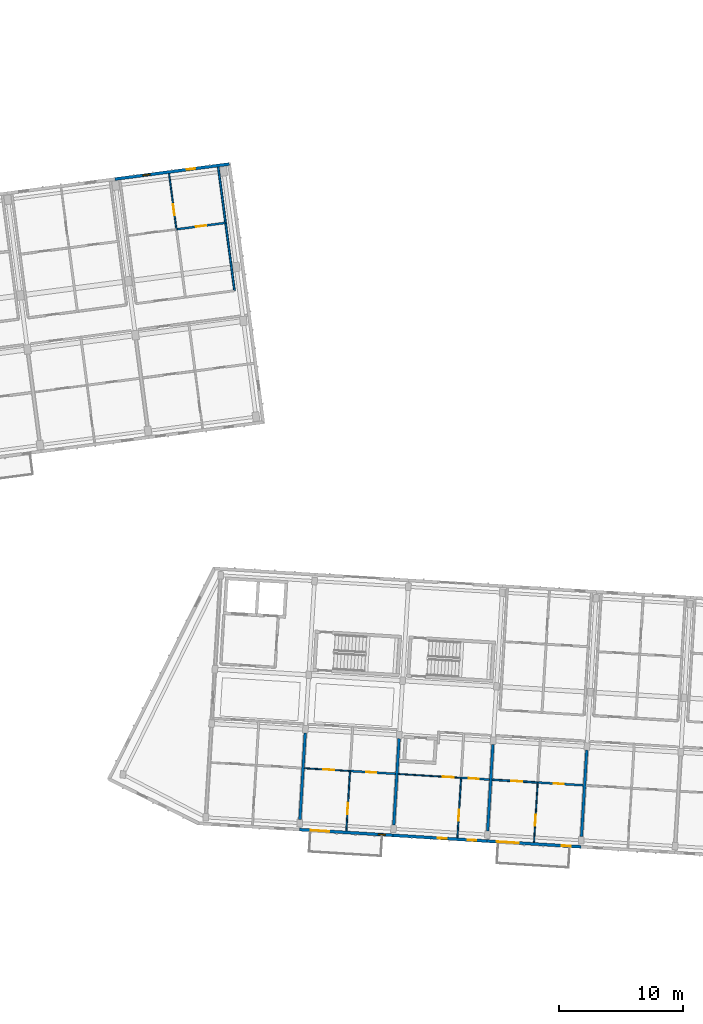
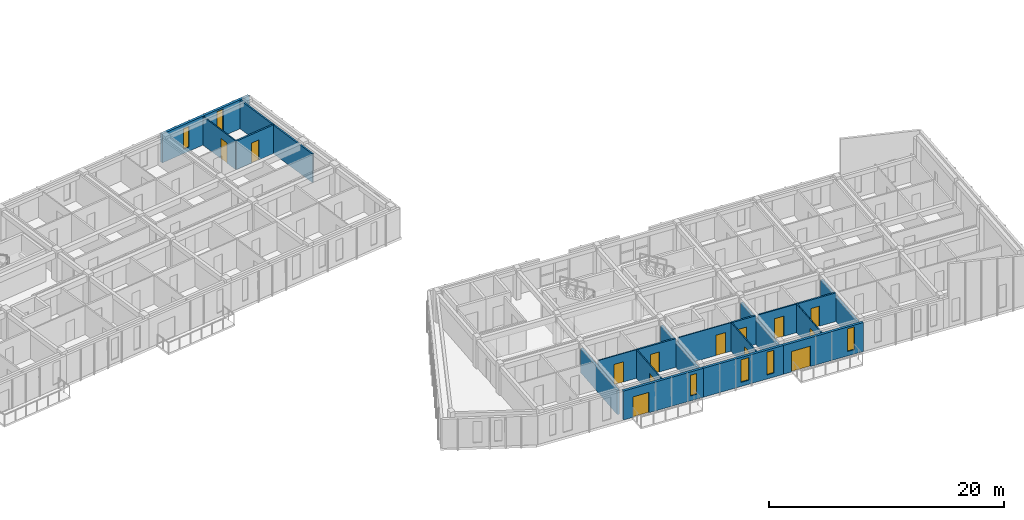
# One storey, part 25 of 64: 20 walls, 13 doors, 6 windows, 19 openings.
"""IFC4 building model written with IfcOpenShell, lengths in metres."""

import ifcopenshell
import ifcopenshell.guid

model = None  # the IFC model being written
_history = None  # IfcOwnerHistory: only IFC2X3 demands one
_inside = {}  # id of a spatial element -> (the spatial element, [elements in it])
_under = {}  # id of a project, library or spatial element -> (it, [spatial elements below it])
_declared = {}  # id of a project -> (the project, [libraries it declares])
_typed = {}  # id of a type object -> (the type object, [elements of that type])
_made_of = {}  # id of a material, layer set ... -> (it, [elements and type objects made of it])


def new_model(schema):
    """Start an empty IFC model of exactly this schema.

    Asked for "IFC4X3", IfcOpenShell would pick the latest addendum, in which some entities
    have other attributes; the version numbers below select the first issue.
    IFC2X3 requires an IfcOwnerHistory on every rooted entity: one is made here for all.
    """
    global model, _history
    if schema == "IFC4X3":
        model = ifcopenshell.file(schema_version=(4, 3, 0, 0))
    else:
        model = ifcopenshell.file(schema=schema)
    _inside.clear()
    _under.clear()
    _declared.clear()
    _typed.clear()
    _made_of.clear()
    _history = None
    if model.schema == "IFC2X3":
        org = make("IfcOrganization", Name="unknown")
        user = make(
            "IfcPersonAndOrganization",
            ThePerson=make("IfcPerson", FamilyName="unknown"),
            TheOrganization=org,
        )
        app = make(
            "IfcApplication",
            ApplicationDeveloper=org,
            Version="unknown",
            ApplicationFullName="unknown",
            ApplicationIdentifier="unknown",
        )
        _history = make(
            "IfcOwnerHistory",
            OwningUser=user,
            OwningApplication=app,
            ChangeAction="ADDED",
            CreationDate=0,
        )
    return model


def make(cls, **values):
    """One entity of the class cls with the attributes given. An attribute that is None is left unset."""
    return model.create_entity(
        cls, **{name: value for name, value in values.items() if value is not None}
    )


def rooted(cls, **values):
    """An entity with a GlobalId (a new one), such as an element, a storey or a relation."""
    return make(cls, GlobalId=ifcopenshell.guid.new(), OwnerHistory=_history, **values)


def si_unit(unit_type, name, prefix=None):
    """IfcSIUnit, for example si_unit("LENGTHUNIT", "METRE", prefix="MILLI")."""
    return make("IfcSIUnit", UnitType=unit_type, Prefix=prefix, Name=name)


def assignment(units):
    """IfcUnitAssignment: the units of a project."""
    return None if units is None else make("IfcUnitAssignment", Units=units)


def point(xyz):
    """IfcCartesianPoint."""
    return None if xyz is None else make("IfcCartesianPoint", Coordinates=xyz)


def direction(xyz):
    """IfcDirection."""
    return None if xyz is None else make("IfcDirection", DirectionRatios=xyz)


def frame(location, z_axis=None, x_axis=None):
    """IfcAxis2Placement3D, a coordinate frame: its origin and axes. An axis left out is left unset."""
    return make(
        "IfcAxis2Placement3D",
        Location=point(location),
        Axis=direction(z_axis),
        RefDirection=direction(x_axis),
    )


def frame_2d(location, x_axis=None):
    """IfcAxis2Placement2D, a coordinate frame in the plane: its origin and x axis."""
    return make(
        "IfcAxis2Placement2D", Location=point(location), RefDirection=direction(x_axis)
    )


def origin():
    """The frame at (0, 0, 0) with its axes left unset."""
    return frame((0.0, 0.0, 0.0))


def place(relative_to, where):
    """IfcLocalPlacement: puts the frame where relative to a parent placement (None: the world)."""
    return make(
        "IfcLocalPlacement", PlacementRelTo=relative_to, RelativePlacement=where
    )


def context(
    kind, dimensions, precision=None, world=None, true_north=None, identifier=None
):
    """IfcGeometricRepresentationContext, for example the 3D "Model" context."""
    return make(
        "IfcGeometricRepresentationContext",
        ContextIdentifier=identifier,
        ContextType=kind,
        CoordinateSpaceDimension=dimensions,
        Precision=precision,
        WorldCoordinateSystem=world,
        TrueNorth=true_north,
    )


def subcontext(parent, identifier, kind, view, scale=None):
    """IfcGeometricRepresentationSubContext, for example "Body" below "Model"."""
    return make(
        "IfcGeometricRepresentationSubContext",
        ContextIdentifier=identifier,
        ContextType=kind,
        ParentContext=parent,
        TargetScale=scale,
        TargetView=view,
    )


def project(units=None, contexts=None):
    """IfcProject with its units and contexts."""
    return rooted(
        "IfcProject",
        Name="project",
        RepresentationContexts=contexts,
        UnitsInContext=assignment(units),
    )


def spatial(cls, under=None, at=None, **own):
    """A site, building, storey or space (cls), placed at a placement, below another one or the project."""
    s = rooted(cls, ObjectPlacement=at, **own)
    if under is not None:
        _under.setdefault(under.id(), (under, []))[1].append(s)
    return s


def profile(cls, at=None, kind="AREA", **sizes):
    """A parametric profile (cls). Its sizes go by their IFC names, for example OverallWidth=200.0."""
    return make(cls, ProfileType=kind, Position=at, **sizes)


def rectangle(**sizes):
    """IfcRectangleProfileDef."""
    return profile("IfcRectangleProfileDef", **sizes)


def extrude(swept, where, along, depth):
    """IfcExtrudedAreaSolid: the profile swept, set in the frame where, extruded along a direction by depth."""
    return make(
        "IfcExtrudedAreaSolid",
        SweptArea=swept,
        Position=where,
        ExtrudedDirection=direction(along),
        Depth=depth,
    )


def shape(context_of_items, identifier, shape_type, items):
    """IfcShapeRepresentation: the items that make up one representation, for example the "Body"."""
    return make(
        "IfcShapeRepresentation",
        ContextOfItems=context_of_items,
        RepresentationIdentifier=identifier,
        RepresentationType=shape_type,
        Items=items,
    )


def material(Name=None, Category=None):
    """IfcMaterial."""
    return make("IfcMaterial", Name=Name, Category=Category)


def layer(
    of_material, thickness, ventilated=None, Name=None, Category=None, Priority=None
):
    """IfcMaterialLayer: one layer of a wall or slab, of a material (None: an air gap)."""
    return make(
        "IfcMaterialLayer",
        Material=of_material,
        LayerThickness=thickness,
        IsVentilated=ventilated,
        Name=Name,
        Category=Category,
        Priority=Priority,
    )


def layer_set(layers, Name=None):
    """IfcMaterialLayerSet."""
    return make("IfcMaterialLayerSet", MaterialLayers=layers, LayerSetName=Name)


def made_of(thing, what):
    """Note that an element or type object is made of a material, layer set ...; save() writes the relation."""
    if what is not None:
        _made_of.setdefault(what.id(), (what, []))[1].append(thing)
    return thing


def type_object(cls, material=None, **own):
    """A type object (cls), such as IfcWallType, which elements share."""
    return made_of(rooted(cls, **own), material)


def element(
    cls,
    number,
    at=None,
    inside=None,
    cuts=None,
    type_object=None,
    material=None,
    context=None,
    identifier="Body",
    shape_type=None,
    held_by="IfcProductDefinitionShape",
    body=None,
    shapes=None,
    **own,
):
    """One element of the class cls, such as IfcWall. Its Tag is "e" and its number.

    at: its placement. inside: the storey or other place that contains it. cuts: it is an
    opening in that element (IfcRelVoidsElement). A single representation is given by context,
    identifier, shape_type and body (its items); several are given by shapes. held_by: the class
    of the entity that holds the representations. save() writes the other relations.
    """
    e = rooted(cls, Tag="e%d" % number, ObjectPlacement=at, **own)
    if body is not None:
        shapes = [shape(context, identifier, shape_type, body)]
    if shapes is not None:
        e.Representation = make(held_by, Representations=shapes)
    if inside is not None:
        _inside.setdefault(inside.id(), (inside, []))[1].append(e)
    if cuts is not None:
        rooted(
            "IfcRelVoidsElement", RelatingBuildingElement=cuts, RelatedOpeningElement=e
        )
    if type_object is not None:
        _typed.setdefault(type_object.id(), (type_object, []))[1].append(e)
    return made_of(e, material)


def fill(opening, filler):
    """IfcRelFillsElement: the door or window that sits in an opening."""
    return rooted(
        "IfcRelFillsElement",
        RelatingOpeningElement=opening,
        RelatedBuildingElement=filler,
    )


def aggregate(whole, parts):
    """IfcRelAggregates: a whole, such as a stair, and the parts it consists of."""
    return rooted("IfcRelAggregates", RelatingObject=whole, RelatedObjects=parts)


def save(model, path):
    """Write the relations noted so far, then the file.

    IfcRelAggregates (storeys below a building ...), IfcRelContainedInSpatialStructure (elements
    in a storey), IfcRelDefinesByType, IfcRelAssociatesMaterial and IfcRelDeclares: one each for
    every whole, place, type object, material and project.
    """
    for whole, parts in _under.values():
        aggregate(whole, parts)
    for where, things in _inside.values():
        rooted(
            "IfcRelContainedInSpatialStructure",
            RelatedElements=things,
            RelatingStructure=where,
        )
    for kind, things in _typed.values():
        rooted("IfcRelDefinesByType", RelatedObjects=things, RelatingType=kind)
    for what, things in _made_of.values():
        rooted("IfcRelAssociatesMaterial", RelatedObjects=things, RelatingMaterial=what)
    for by, libraries in _declared.values():
        rooted("IfcRelDeclares", RelatingContext=by, RelatedDefinitions=libraries)
    model.write(path)


model = new_model("IFC4")

# Units and contexts
model_context = context("Model", 3, precision=1e-05, world=origin(), true_north=direction((0.0, 1.0)))
body_context = subcontext(model_context, "Body", "Model", "MODEL_VIEW")
ifc_project = project(units=[si_unit("LENGTHUNIT", "METRE"), si_unit("AREAUNIT", "SQUARE_METRE"), si_unit("VOLUMEUNIT", "CUBIC_METRE"), si_unit("PLANEANGLEUNIT", "RADIAN"), si_unit("MASSUNIT", "GRAM", prefix="KILO")], contexts=[model_context])

# Site, building, storey
site_placement = place(None, origin())
site = spatial("IfcSite", under=ifc_project, at=site_placement, CompositionType="ELEMENT")
building_placement = place(site_placement, origin())
building = spatial("IfcBuilding", under=site, at=building_placement, Name="Kestramere Prow Commons", CompositionType="ELEMENT")
storey_placement = place(building_placement, frame((0.0, 0.0, 24.64990234375)))
storey = spatial("IfcBuildingStorey", under=building, at=storey_placement, Name="L07", CompositionType="ELEMENT", Elevation=24.64990234375)

# Wall, openings, windows
ifc_material_1 = material(Name="Fluoropolymer Standing-Seam Zinc-Aluminium Cladding", Category="aluminium")
ifc_layer_1 = layer(ifc_material_1, 0.239990234375)
ifc_layer_set_1 = layer_set([ifc_layer_1], Name="Fluoropolymer Standing-Seam Zinc-Aluminium Cladding")
wall_type_1 = type_object("IfcWallType", Name="EW-SEAM-240", PredefinedType="SOLIDWALL", material=ifc_layer_set_1)
wall_1_placement = place(storey_placement, frame((52.14453125, 98.092529296875, 0.0), z_axis=(0.0, 0.0, 1.0), x_axis=(0.991442885224, 0.130541201693, 0.0)))
wall_1 = element("IfcWall", 1, at=wall_1_placement, inside=storey, type_object=wall_type_1, Name="Block A L07 North Standing-Seam Wall 6", PredefinedType="SOLIDWALL", context=body_context, shape_type="SweptSolid", body=[
    extrude(rectangle(XDim=9.324951171875, YDim=0.239990234375, at=frame_2d((4.66259765625, 0.0))), origin(), (0.0, 0.0, 1.0), 3.0),
])
opening_1_placement = place(wall_1_placement, frame((2.287841796875, 0.0, 0.43994140625)))
opening_1 = element("IfcOpeningElement", 2, at=opening_1_placement, cuts=wall_1, Name="Opening WN-01", PredefinedType="OPENING", context=body_context, shape_type="SweptSolid", body=[
    extrude(rectangle(XDim=0.580078125, YDim=2.159912109375, at=frame_2d((0.2900390625, 1.080078125))), frame((0.0, 0.135009765625, 0.0), z_axis=(0.0, -1.0, 0.0), x_axis=(1.0, 0.0, 0.0)), (0.0, 0.0, 1.0), 0.27001953125),
])
opening_2_placement = place(wall_1_placement, frame((5.872802734375, 0.0, 0.5)))
opening_2 = element("IfcOpeningElement", 3, at=opening_2_placement, cuts=wall_1, Name="Opening WN-05", PredefinedType="OPENING", context=body_context, shape_type="SweptSolid", body=[
    extrude(rectangle(XDim=0.659912109375, YDim=2.320068359375, at=frame_2d((0.330078125, 1.16015625))), frame((0.0, 0.135009765625, 0.0), z_axis=(0.0, -1.0, 0.0), x_axis=(1.0, 0.0, 0.0)), (0.0, 0.0, 1.0), 0.27001953125),
])
ifc_material_2 = material(Name="Low-E Laminated Double Glazing", Category="glass")
window_type_1 = type_object("IfcWindowType", Name="WN-NAR-580A", PartitioningType="SINGLE_PANEL", PredefinedType="WINDOW", material=ifc_material_2)
window_1_placement = place(opening_1_placement, origin())
window_1 = element("IfcWindow", 4, at=window_1_placement, inside=storey, type_object=window_type_1, Name="WN-A-L07-N-5-0", OverallHeight=2.159912109375, OverallWidth=0.580078125, PartitioningType="SINGLE_PANEL", PredefinedType="WINDOW", context=body_context, shape_type="SweptSolid", body=[
    extrude(rectangle(XDim=0.580078125, YDim=2.159912109375, at=frame_2d((0.2900390625, 1.080078125))), frame((0.0, 0.030029296875, 0.0), z_axis=(0.0, -1.0, 0.0), x_axis=(1.0, 0.0, 0.0)), (0.0, 0.0, 1.0), 0.06005859375),
])
fill(opening_1, window_1)
window_type_2 = type_object("IfcWindowType", Name="WN-NAR-660A", PartitioningType="SINGLE_PANEL", PredefinedType="WINDOW", material=ifc_material_2)
window_2_placement = place(opening_2_placement, origin())
window_2 = element("IfcWindow", 5, at=window_2_placement, inside=storey, type_object=window_type_2, Name="WN-A-L07-N-5-1", OverallHeight=2.320068359375, OverallWidth=0.659912109375, PartitioningType="SINGLE_PANEL", PredefinedType="WINDOW", context=body_context, shape_type="SweptSolid", body=[
    extrude(rectangle(XDim=0.659912109375, YDim=2.320068359375, at=frame_2d((0.330078125, 1.16015625))), frame((0.0, 0.030029296875, 0.0), z_axis=(0.0, -1.0, 0.0), x_axis=(1.0, 0.0, 0.0)), (0.0, 0.0, 1.0), 0.06005859375),
])
fill(opening_2, window_2)

# Wall, openings, door, window
wall_2_placement = place(storey_placement, frame((74.6396484375, 45.048095703125, 0.0), z_axis=(0.0, 0.0, 1.0), x_axis=(-0.998135669243, 0.061034300063, 0.0)))
wall_2 = element("IfcWall", 6, at=wall_2_placement, inside=storey, type_object=wall_type_1, Name="Block C L07 South Standing-Seam Wall 2", PredefinedType="SOLIDWALL", context=body_context, shape_type="SweptSolid", body=[
    extrude(rectangle(XDim=7.60009765625, YDim=0.239990234375, at=frame_2d((3.800048828125, 0.0))), origin(), (0.0, 0.0, 1.0), 3.0),
])
opening_3_placement = place(wall_2_placement, frame((5.1689453125, 0.0, 0.0)))
opening_3 = element("IfcOpeningElement", 7, at=opening_3_placement, cuts=wall_2, Name="Opening GD-BAL-01", PredefinedType="OPENING", context=body_context, shape_type="SweptSolid", body=[
    extrude(rectangle(XDim=1.5, YDim=2.1201171875, at=frame_2d((0.75, 1.06005859375))), frame((0.0, 0.135009765625, 0.0), z_axis=(0.0, -1.0, 0.0), x_axis=(1.0, 0.0, 0.0)), (0.0, 0.0, 1.0), 0.27001953125),
])
opening_4_placement = place(wall_2_placement, frame((0.6298828125, 0.0, 0.5)))
opening_4 = element("IfcOpeningElement", 8, at=opening_4_placement, cuts=wall_2, Name="Opening WN-01", PredefinedType="OPENING", context=body_context, shape_type="SweptSolid", body=[
    extrude(rectangle(XDim=0.580078125, YDim=2.159912109375, at=frame_2d((0.2900390625, 1.080078125))), frame((0.0, 0.135009765625, 0.0), z_axis=(0.0, -1.0, 0.0), x_axis=(1.0, 0.0, 0.0)), (0.0, 0.0, 1.0), 0.27001953125),
])
ifc_material_3 = material(Name="Thermally-Broken Anodised Aluminium Glazed", Category="aluminium")
door_type_1 = type_object("IfcDoorType", Name="GD-BAL-1500", OperationType="SLIDING_TO_RIGHT", PredefinedType="DOOR", material=ifc_material_3)
door_1_placement = place(opening_3_placement, origin())
door_1 = element("IfcDoor", 9, at=door_1_placement, inside=storey, type_object=door_type_1, Name="Block C L07 Balcony Door 2", OperationType="SLIDING_TO_RIGHT", OverallHeight=2.1201171875, OverallWidth=1.5, PredefinedType="DOOR", context=body_context, shape_type="SweptSolid", body=[
    extrude(rectangle(XDim=1.5, YDim=2.1201171875, at=frame_2d((0.75, 1.06005859375))), frame((0.0, 0.02490234375, 0.0), z_axis=(0.0, -1.0, 0.0), x_axis=(1.0, 0.0, 0.0)), (0.0, 0.0, 1.0), 0.050048828125),
])
fill(opening_3, door_1)
window_3_placement = place(opening_4_placement, origin())
window_3 = element("IfcWindow", 10, at=window_3_placement, inside=storey, type_object=window_type_1, Name="WN-C-L07-SR-1", OverallHeight=2.159912109375, OverallWidth=0.580078125, PartitioningType="SINGLE_PANEL", PredefinedType="WINDOW", context=body_context, shape_type="SweptSolid", body=[
    extrude(rectangle(XDim=0.580078125, YDim=2.159912109375, at=frame_2d((0.2900390625, 1.080078125))), frame((0.0, 0.030029296875, 0.0), z_axis=(0.0, -1.0, 0.0), x_axis=(1.0, 0.0, 0.0)), (0.0, 0.0, 1.0), 0.06005859375),
])
fill(opening_4, window_3)

# Wall, openings, windows
wall_3_placement = place(storey_placement, frame((82.225341796875, 44.583984375, 0.0), z_axis=(0.0, 0.0, 1.0), x_axis=(-0.998133591969, 0.061068261669, 0.0)))
wall_3 = element("IfcWall", 11, at=wall_3_placement, inside=storey, type_object=wall_type_1, Name="Block C L07 South Standing-Seam Wall 3", PredefinedType="SOLIDWALL", context=body_context, shape_type="SweptSolid", body=[
    extrude(rectangle(XDim=7.599853515625, YDim=0.239990234375, at=frame_2d((3.7998046875, 0.0))), origin(), (0.0, 0.0, 1.0), 3.0),
])
opening_5_placement = place(wall_3_placement, frame((0.8779296875, 0.0, 0.419921875)))
opening_5 = element("IfcOpeningElement", 12, at=opening_5_placement, cuts=wall_3, Name="Opening WN-07", PredefinedType="OPENING", context=body_context, shape_type="SweptSolid", body=[
    extrude(rectangle(XDim=0.699951171875, YDim=2.360107421875, at=frame_2d((0.35009765625, 1.18017578125))), frame((0.0, 0.135009765625, 0.0), z_axis=(0.0, -1.0, 0.0), x_axis=(1.0, 0.0, 0.0)), (0.0, 0.0, 1.0), 0.27001953125),
])
opening_6_placement = place(wall_3_placement, frame((3.247314453125, 0.0, 0.419921875)))
opening_6 = element("IfcOpeningElement", 13, at=opening_6_placement, cuts=wall_3, Name="Opening WN-10", PredefinedType="OPENING", context=body_context, shape_type="SweptSolid", body=[
    extrude(rectangle(XDim=0.760009765625, YDim=2.340087890625, at=frame_2d((0.3798828125, 1.169921875))), frame((0.0, 0.135009765625, 0.0), z_axis=(0.0, -1.0, 0.0), x_axis=(1.0, 0.0, 0.0)), (0.0, 0.0, 1.0), 0.27001953125),
])
window_type_3 = type_object("IfcWindowType", Name="WN-NAR-700A", PartitioningType="SINGLE_PANEL", PredefinedType="WINDOW", material=ifc_material_2)
window_4_placement = place(opening_5_placement, origin())
window_4 = element("IfcWindow", 14, at=window_4_placement, inside=storey, type_object=window_type_3, Name="WN-C-L07-S-2-00", OverallHeight=2.360107421875, OverallWidth=0.699951171875, PartitioningType="SINGLE_PANEL", PredefinedType="WINDOW", context=body_context, shape_type="SweptSolid", body=[
    extrude(rectangle(XDim=0.699951171875, YDim=2.360107421875, at=frame_2d((0.35009765625, 1.18017578125))), frame((0.0, 0.030029296875, 0.0), z_axis=(0.0, -1.0, 0.0), x_axis=(1.0, 0.0, 0.0)), (0.0, 0.0, 1.0), 0.06005859375),
])
fill(opening_5, window_4)
window_type_4 = type_object("IfcWindowType", Name="WN-NAR-760A", PartitioningType="SINGLE_PANEL", PredefinedType="WINDOW", material=ifc_material_2)
window_5_placement = place(opening_6_placement, origin())
window_5 = element("IfcWindow", 15, at=window_5_placement, inside=storey, type_object=window_type_4, Name="WN-C-L07-S-2-10", OverallHeight=2.340087890625, OverallWidth=0.760009765625, PartitioningType="SINGLE_PANEL", PredefinedType="WINDOW", context=body_context, shape_type="SweptSolid", body=[
    extrude(rectangle(XDim=0.760009765625, YDim=2.340087890625, at=frame_2d((0.3798828125, 1.169921875))), frame((0.0, 0.030029296875, 0.0), z_axis=(0.0, -1.0, 0.0), x_axis=(1.0, 0.0, 0.0)), (0.0, 0.0, 1.0), 0.06005859375),
])
fill(opening_6, window_5)

# Wall, openings, door, window
wall_4_placement = place(storey_placement, frame((89.811279296875, 44.1201171875, 0.0), z_axis=(0.0, 0.0, 1.0), x_axis=(-0.998135669243, 0.061034300063, 0.0)))
wall_4 = element("IfcWall", 16, at=wall_4_placement, inside=storey, type_object=wall_type_1, Name="Block C L07 South Standing-Seam Wall 4", PredefinedType="SOLIDWALL", context=body_context, shape_type="SweptSolid", body=[
    extrude(rectangle(XDim=7.60009765625, YDim=0.239990234375, at=frame_2d((3.800048828125, 0.0))), origin(), (0.0, 0.0, 1.0), 3.0),
])
opening_7_placement = place(wall_4_placement, frame((5.01904296875, 0.0, 0.0)))
opening_7 = element("IfcOpeningElement", 17, at=opening_7_placement, cuts=wall_4, Name="Opening GD-BAL-02", PredefinedType="OPENING", context=body_context, shape_type="SweptSolid", body=[
    extrude(rectangle(XDim=1.800048828125, YDim=2.1201171875, at=frame_2d((0.89990234375, 1.06005859375))), frame((0.0, 0.135009765625, 0.0), z_axis=(0.0, -1.0, 0.0), x_axis=(1.0, 0.0, 0.0)), (0.0, 0.0, 1.0), 0.27001953125),
])
opening_8_placement = place(wall_4_placement, frame((0.830078125, 0.0, 0.4599609375)))
opening_8 = element("IfcOpeningElement", 18, at=opening_8_placement, cuts=wall_4, Name="Opening WN-07", PredefinedType="OPENING", context=body_context, shape_type="SweptSolid", body=[
    extrude(rectangle(XDim=0.699951171875, YDim=2.360107421875, at=frame_2d((0.35009765625, 1.18017578125))), frame((0.0, 0.135009765625, 0.0), z_axis=(0.0, -1.0, 0.0), x_axis=(1.0, 0.0, 0.0)), (0.0, 0.0, 1.0), 0.27001953125),
])
door_type_2 = type_object("IfcDoorType", Name="GD-BAL-1800", OperationType="SLIDING_TO_LEFT", PredefinedType="DOOR", material=ifc_material_3)
door_2_placement = place(opening_7_placement, origin())
door_2 = element("IfcDoor", 19, at=door_2_placement, inside=storey, type_object=door_type_2, Name="Block C L07 Balcony Door 4", OperationType="SLIDING_TO_LEFT", OverallHeight=2.1201171875, OverallWidth=1.800048828125, PredefinedType="DOOR", context=body_context, shape_type="SweptSolid", body=[
    extrude(rectangle(XDim=1.800048828125, YDim=2.1201171875, at=frame_2d((0.89990234375, 1.06005859375))), frame((0.0, 0.02490234375, 0.0), z_axis=(0.0, -1.0, 0.0), x_axis=(1.0, 0.0, 0.0)), (0.0, 0.0, 1.0), 0.050048828125),
])
fill(opening_7, door_2)
window_6_placement = place(opening_8_placement, origin())
window_6 = element("IfcWindow", 20, at=window_6_placement, inside=storey, type_object=window_type_3, Name="WN-C-L07-SR-3", OverallHeight=2.360107421875, OverallWidth=0.699951171875, PartitioningType="SINGLE_PANEL", PredefinedType="WINDOW", context=body_context, shape_type="SweptSolid", body=[
    extrude(rectangle(XDim=0.699951171875, YDim=2.360107421875, at=frame_2d((0.35009765625, 1.18017578125))), frame((0.0, 0.030029296875, 0.0), z_axis=(0.0, -1.0, 0.0), x_axis=(1.0, 0.0, 0.0)), (0.0, 0.0, 1.0), 0.06005859375),
])
fill(opening_8, window_6)

# Wall, opening, door
ifc_material_4 = material(Name="Gypsum Acoustic Drywall")
ifc_layer_2 = layer(ifc_material_4, 0.10009765625)
ifc_layer_set_2 = layer_set([ifc_layer_2], Name="Gypsum Acoustic Drywall")
wall_type_2 = type_object("IfcWallType", Name="W-PART-100", PredefinedType="PARTITIONING", material=ifc_layer_set_2)
wall_5_placement = place(storey_placement, frame((86.026611328125, 44.48681640625, 0.0), z_axis=(0.0, 0.0, 1.0), x_axis=(0.061034170677, 0.998135677155, 0.0)))
wall_5 = element("IfcWall", 21, at=wall_5_placement, inside=storey, type_object=wall_type_2, Name="Interior Partition PW-C-L07-LB-S3", PredefinedType="PARTITIONING", context=body_context, shape_type="SweptSolid", body=[
    extrude(rectangle(XDim=4.840087890625, YDim=0.10009765625, at=frame_2d((2.419921875, 0.0))), origin(), (0.0, 0.0, 1.0), 2.97021484375),
])
opening_9_placement = place(wall_5_placement, frame((1.35009765625, 0.0, 0.0)))
opening_9 = element("IfcOpeningElement", 22, at=opening_9_placement, cuts=wall_5, Name="Opening ID-10", PredefinedType="OPENING", context=body_context, shape_type="SweptSolid", body=[
    extrude(rectangle(XDim=0.8798828125, YDim=2.10009765625, at=frame_2d((0.43994140625, 1.050048828125))), frame((0.0, 0.06494140625, 0.0), z_axis=(0.0, -1.0, 0.0), x_axis=(1.0, 0.0, 0.0)), (0.0, 0.0, 1.0), 0.130126953125),
])
ifc_material_5 = material(Name="Engineered Timber Bedroom Door", Category="wood")
door_type_3 = type_object("IfcDoorType", Name="D-RM-03", OperationType="NOTDEFINED", PredefinedType="DOOR", material=ifc_material_5)
door_3_placement = place(opening_9_placement, origin())
door_3 = element("IfcDoor", 23, at=door_3_placement, inside=storey, type_object=door_type_3, Name="Interior Door DR-C-L07-BED-S3", OperationType="SINGLE_SWING_RIGHT", OverallHeight=2.10009765625, OverallWidth=0.8798828125, PredefinedType="DOOR", context=body_context, shape_type="SweptSolid", body=[
    extrude(rectangle(XDim=0.8798828125, YDim=2.10009765625, at=frame_2d((0.43994140625, 1.050048828125))), frame((0.0, 0.02490234375, 0.0), z_axis=(0.0, -1.0, 0.0), x_axis=(1.0, 0.0, 0.0)), (0.0, 0.0, 1.0), 0.050048828125),
])
fill(opening_9, door_3)

ifc_layer_3 = layer(ifc_material_4, 0.110107421875)
ifc_layer_set_3 = layer_set([ifc_layer_3], Name="Gypsum Acoustic Drywall")
wall_type_3 = type_object("IfcWallType", Name="W-PART-110", PredefinedType="PARTITIONING", material=ifc_layer_set_3)
wall_6_placement = place(storey_placement, frame((57.1171875, 94.031982421875, 0.0), z_axis=(0.0, 0.0, 1.0), x_axis=(-0.130571364795, 0.991438913245, 0.0)))
wall_6 = element("IfcWall", 24, at=wall_6_placement, inside=storey, type_object=wall_type_3, Name="Interior Partition PW-A-L07-LB-N5", PredefinedType="PARTITIONING", context=body_context, shape_type="SweptSolid", body=[
    extrude(rectangle(XDim=4.539794921875, YDim=0.110107421875, at=frame_2d((2.27001953125, 0.0))), origin(), (0.0, 0.0, 1.0), 2.97021484375),
])
opening_10_placement = place(wall_6_placement, frame((1.14990234375, 0.0, 0.0)))
opening_10 = element("IfcOpeningElement", 25, at=opening_10_placement, cuts=wall_6, Name="Opening ID-08", PredefinedType="OPENING", context=body_context, shape_type="SweptSolid", body=[
    extrude(rectangle(XDim=0.89990234375, YDim=2.10009765625, at=frame_2d((0.449951171875, 1.050048828125))), frame((0.0, 0.070068359375, 0.0), z_axis=(0.0, -1.0, 0.0), x_axis=(1.0, 0.0, 0.0)), (0.0, 0.0, 1.0), 0.14013671875),
])
ifc_material_6 = material(Name="Engineered Timber Flush Door", Category="wood")
door_type_4 = type_object("IfcDoorType", Name="D-RM-01", OperationType="NOTDEFINED", PredefinedType="DOOR", material=ifc_material_6)
door_4_placement = place(opening_10_placement, origin())
door_4 = element("IfcDoor", 26, at=door_4_placement, inside=storey, type_object=door_type_4, Name="Interior Door DR-A-L07-BED-N5", OperationType="SINGLE_SWING_LEFT", OverallHeight=2.10009765625, OverallWidth=0.89990234375, PredefinedType="DOOR", context=body_context, shape_type="SweptSolid", body=[
    extrude(rectangle(XDim=0.89990234375, YDim=2.10009765625, at=frame_2d((0.449951171875, 1.050048828125))), frame((0.0, 0.02490234375, 0.0), z_axis=(0.0, -1.0, 0.0), x_axis=(1.0, 0.0, 0.0)), (0.0, 0.0, 1.0), 0.050048828125),
])
fill(opening_10, door_4)

wall_7_placement = place(storey_placement, frame((70.85498046875, 45.414794921875, 0.0), z_axis=(0.0, 0.0, 1.0), x_axis=(0.061034170677, 0.998135677155, 0.0)))
wall_7 = element("IfcWall", 27, at=wall_7_placement, inside=storey, type_object=wall_type_3, Name="Interior Partition PW-C-L07-LB-S1", PredefinedType="PARTITIONING", context=body_context, shape_type="SweptSolid", body=[
    extrude(rectangle(XDim=4.840087890625, YDim=0.110107421875, at=frame_2d((2.419921875, 0.0))), origin(), (0.0, 0.0, 1.0), 2.97021484375),
])
opening_11_placement = place(wall_7_placement, frame((1.35009765625, 0.0, 0.0)))
opening_11 = element("IfcOpeningElement", 28, at=opening_11_placement, cuts=wall_7, Name="Opening ID-08", PredefinedType="OPENING", context=body_context, shape_type="SweptSolid", body=[
    extrude(rectangle(XDim=0.89990234375, YDim=2.10009765625, at=frame_2d((0.449951171875, 1.050048828125))), frame((0.0, 0.070068359375, 0.0), z_axis=(0.0, -1.0, 0.0), x_axis=(1.0, 0.0, 0.0)), (0.0, 0.0, 1.0), 0.14013671875),
])
door_5_placement = place(opening_11_placement, origin())
door_5 = element("IfcDoor", 29, at=door_5_placement, inside=storey, type_object=door_type_4, Name="Interior Door DR-C-L07-BED-S1", OperationType="SINGLE_SWING_RIGHT", OverallHeight=2.10009765625, OverallWidth=0.89990234375, PredefinedType="DOOR", context=body_context, shape_type="SweptSolid", body=[
    extrude(rectangle(XDim=0.89990234375, YDim=2.10009765625, at=frame_2d((0.449951171875, 1.050048828125))), frame((0.0, 0.02490234375, 0.0), z_axis=(0.0, -1.0, 0.0), x_axis=(1.0, 0.0, 0.0)), (0.0, 0.0, 1.0), 0.050048828125),
])
fill(opening_11, door_5)

wall_8_placement = place(storey_placement, frame((79.833251953125, 44.86572265625, 0.0), z_axis=(0.0, 0.0, 1.0), x_axis=(0.061037243745, 0.998135489238, 0.0)))
wall_8 = element("IfcWall", 30, at=wall_8_placement, inside=storey, type_object=wall_type_3, Name="Interior Partition PW-C-L07-LB-S2", PredefinedType="PARTITIONING", context=body_context, shape_type="SweptSolid", body=[
    extrude(rectangle(XDim=4.83984375, YDim=0.110107421875, at=frame_2d((2.419921875, 0.0))), origin(), (0.0, 0.0, 1.0), 2.97021484375),
])
opening_12_placement = place(wall_8_placement, frame((1.35009765625, 0.0, 0.0)))
opening_12 = element("IfcOpeningElement", 31, at=opening_12_placement, cuts=wall_8, Name="Opening ID-08", PredefinedType="OPENING", context=body_context, shape_type="SweptSolid", body=[
    extrude(rectangle(XDim=0.89990234375, YDim=2.10009765625, at=frame_2d((0.449951171875, 1.050048828125))), frame((0.0, 0.070068359375, 0.0), z_axis=(0.0, -1.0, 0.0), x_axis=(1.0, 0.0, 0.0)), (0.0, 0.0, 1.0), 0.14013671875),
])
door_6_placement = place(opening_12_placement, origin())
door_6 = element("IfcDoor", 32, at=door_6_placement, inside=storey, type_object=door_type_4, Name="Interior Door DR-C-L07-BED-S2", OperationType="SINGLE_SWING_LEFT", OverallHeight=2.10009765625, OverallWidth=0.89990234375, PredefinedType="DOOR", context=body_context, shape_type="SweptSolid", body=[
    extrude(rectangle(XDim=0.89990234375, YDim=2.10009765625, at=frame_2d((0.449951171875, 1.050048828125))), frame((0.0, 0.02490234375, 0.0), z_axis=(0.0, -1.0, 0.0), x_axis=(1.0, 0.0, 0.0)), (0.0, 0.0, 1.0), 0.050048828125),
])
fill(opening_12, door_6)

ifc_material_7 = material(Name="Masonry Compartment Wall", Category="masonry")
ifc_layer_4 = layer(ifc_material_7, 0.139892578125)
ifc_layer_set_4 = layer_set([ifc_layer_4], Name="Masonry Compartment Wall")
wall_type_4 = type_object("IfcWallType", Name="W-PART-140", PredefinedType="PARTITIONING", material=ifc_layer_set_4)
wall_9_placement = place(storey_placement, frame((82.64404296875, 49.542724609375, 0.0), z_axis=(0.0, 0.0, 1.0), x_axis=(0.998136472989, -0.061021154439, 0.0)))
wall_9 = element("IfcWall", 33, at=wall_9_placement, inside=storey, type_object=wall_type_4, Name="Interior Partition PW-C-L07-MIDS1-3", PredefinedType="PARTITIONING", context=body_context, shape_type="SweptSolid", body=[
    extrude(rectangle(XDim=3.684814453125, YDim=0.139892578125, at=frame_2d((1.84228515625, 0.0))), origin(), (0.0, 0.0, 1.0), 2.97021484375),
])
opening_13_placement = place(wall_9_placement, frame((1.52490234375, 0.0, 0.0)))
opening_13 = element("IfcOpeningElement", 34, at=opening_13_placement, cuts=wall_9, Name="Opening ID-08", PredefinedType="OPENING", context=body_context, shape_type="SweptSolid", body=[
    extrude(rectangle(XDim=0.89990234375, YDim=2.10009765625, at=frame_2d((0.449951171875, 1.050048828125))), frame((0.0, 0.0849609375, 0.0), z_axis=(0.0, -1.0, 0.0), x_axis=(1.0, 0.0, 0.0)), (0.0, 0.0, 1.0), 0.169921875),
])
door_7_placement = place(opening_13_placement, origin())
door_7 = element("IfcDoor", 35, at=door_7_placement, inside=storey, type_object=door_type_4, Name="Interior Door DR-C-L07-KL-S3", OperationType="SINGLE_SWING_RIGHT", OverallHeight=2.10009765625, OverallWidth=0.89990234375, PredefinedType="DOOR", context=body_context, shape_type="SweptSolid", body=[
    extrude(rectangle(XDim=0.89990234375, YDim=2.10009765625, at=frame_2d((0.449951171875, 1.050048828125))), frame((0.0, 0.02490234375, 0.0), z_axis=(0.0, -1.0, 0.0), x_axis=(1.0, 0.0, 0.0)), (0.0, 0.0, 1.0), 0.050048828125),
])
fill(opening_13, door_7)

# Wall
ifc_layer_5 = layer(ifc_material_7, 0.14990234375)
ifc_layer_set_5 = layer_set([ifc_layer_5], Name="Masonry Compartment Wall")
wall_type_5 = type_object("IfcWallType", Name="W-PART-150", PredefinedType="PARTITIONING", material=ifc_layer_set_5)
wall_10_placement = place(storey_placement, frame((61.814697265625, 89.072509765625, 0.0), z_axis=(0.0, 0.0, 1.0), x_axis=(-0.130531024319, 0.991444225204, 0.0)))
element("IfcWall", 36, at=wall_10_placement, inside=storey, type_object=wall_type_5, Name="Interior Partition PW-A-L07-NWR-5", PredefinedType="PARTITIONING", context=body_context, shape_type="SweptSolid", body=[
    extrude(rectangle(XDim=10.070068359375, YDim=0.14990234375, at=frame_2d((5.03515625, 0.0))), origin(), (0.0, 0.0, 1.0), 2.97021484375),
])

# Wall, opening, door
ifc_layer_6 = layer(ifc_material_4, 0.094970703125)
ifc_layer_set_6 = layer_set([ifc_layer_6], Name="Gypsum Acoustic Drywall")
wall_type_6 = type_object("IfcWallType", Name="W-PART-95", PredefinedType="PARTITIONING", material=ifc_layer_set_6)
wall_11_placement = place(storey_placement, frame((67.47216796875, 50.470703125, 0.0), z_axis=(0.0, 0.0, 1.0), x_axis=(0.998136719672, -0.061017119263, 0.0)))
wall_11 = element("IfcWall", 37, at=wall_11_placement, inside=storey, type_object=wall_type_6, Name="Interior Partition PW-C-L07-MIDS1-1", PredefinedType="PARTITIONING", context=body_context, shape_type="SweptSolid", body=[
    extrude(rectangle(XDim=3.68505859375, YDim=0.094970703125, at=frame_2d((1.842529296875, 0.0))), origin(), (0.0, 0.0, 1.0), 2.97021484375),
])
opening_14_placement = place(wall_11_placement, frame((1.52490234375, 0.0, 0.0)))
opening_14 = element("IfcOpeningElement", 38, at=opening_14_placement, cuts=wall_11, Name="Opening ID-08", PredefinedType="OPENING", context=body_context, shape_type="SweptSolid", body=[
    extrude(rectangle(XDim=0.89990234375, YDim=2.10009765625, at=frame_2d((0.449951171875, 1.050048828125))), frame((0.0, 0.0625, 0.0), z_axis=(0.0, -1.0, 0.0), x_axis=(1.0, 0.0, 0.0)), (0.0, 0.0, 1.0), 0.125),
])
door_8_placement = place(opening_14_placement, origin())
door_8 = element("IfcDoor", 39, at=door_8_placement, inside=storey, type_object=door_type_4, Name="Interior Door DR-C-L07-KL-S1", OperationType="SINGLE_SWING_RIGHT", OverallHeight=2.10009765625, OverallWidth=0.89990234375, PredefinedType="DOOR", context=body_context, shape_type="SweptSolid", body=[
    extrude(rectangle(XDim=0.89990234375, YDim=2.10009765625, at=frame_2d((0.449951171875, 1.050048828125))), frame((0.0, 0.02490234375, 0.0), z_axis=(0.0, -1.0, 0.0), x_axis=(1.0, 0.0, 0.0)), (0.0, 0.0, 1.0), 0.050048828125),
])
fill(opening_14, door_8)

wall_12_placement = place(storey_placement, frame((75.05810546875, 50.0068359375, 0.0), z_axis=(0.0, 0.0, 1.0), x_axis=(0.998132708268, -0.061082703655, 0.0)))
wall_12 = element("IfcWall", 40, at=wall_12_placement, inside=storey, type_object=wall_type_6, Name="Interior Partition PW-C-L07-MIDS1-2", PredefinedType="PARTITIONING", context=body_context, shape_type="SweptSolid", body=[
    extrude(rectangle(XDim=5.080078125, YDim=0.094970703125, at=frame_2d((2.5400390625, 0.0))), origin(), (0.0, 0.0, 1.0), 2.97021484375),
])
opening_15_placement = place(wall_12_placement, frame((3.594970703125, 0.0, 0.0)))
opening_15 = element("IfcOpeningElement", 41, at=opening_15_placement, cuts=wall_12, Name="Opening ID-08", PredefinedType="OPENING", context=body_context, shape_type="SweptSolid", body=[
    extrude(rectangle(XDim=0.89990234375, YDim=2.10009765625, at=frame_2d((0.449951171875, 1.050048828125))), frame((0.0, 0.0625, 0.0), z_axis=(0.0, -1.0, 0.0), x_axis=(1.0, 0.0, 0.0)), (0.0, 0.0, 1.0), 0.125),
])
door_9_placement = place(opening_15_placement, origin())
door_9 = element("IfcDoor", 42, at=door_9_placement, inside=storey, type_object=door_type_4, Name="Interior Door DR-C-L07-KL-S2", OperationType="SINGLE_SWING_RIGHT", OverallHeight=2.10009765625, OverallWidth=0.89990234375, PredefinedType="DOOR", context=body_context, shape_type="SweptSolid", body=[
    extrude(rectangle(XDim=0.89990234375, YDim=2.10009765625, at=frame_2d((0.449951171875, 1.050048828125))), frame((0.0, 0.02490234375, 0.0), z_axis=(0.0, -1.0, 0.0), x_axis=(1.0, 0.0, 0.0)), (0.0, 0.0, 1.0), 0.050048828125),
])
fill(opening_15, door_9)

ifc_material_8 = material(Name="Waterproof Sanitary Masonry Wall", Category="masonry")
ifc_layer_7 = layer(ifc_material_8, 0.1650390625)
ifc_layer_set_7 = layer_set([ifc_layer_7], Name="Waterproof Sanitary Masonry Wall")
wall_type_7 = type_object("IfcWallType", Name="W-PLUMB-150", PredefinedType="PLUMBINGWALL", material=ifc_layer_set_7)
wall_13_placement = place(storey_placement, frame((57.1171875, 94.031982421875, 0.0), z_axis=(0.0, 0.0, 1.0), x_axis=(0.991451394038, 0.130476562111, 0.0)))
wall_13 = element("IfcWall", 43, at=wall_13_placement, inside=storey, type_object=wall_type_7, Name="Interior Partition PW-A-L07-MIDN2-5", PredefinedType="PLUMBINGWALL", context=body_context, shape_type="SweptSolid", body=[
    extrude(rectangle(XDim=4.009765625, YDim=0.1650390625, at=frame_2d((2.0048828125, 0.0))), origin(), (0.0, 0.0, 1.0), 2.97021484375),
])
opening_16_placement = place(wall_13_placement, frame((1.594970703125, 0.0, 0.0)))
opening_16 = element("IfcOpeningElement", 44, at=opening_16_placement, cuts=wall_13, Name="Opening ID-11", PredefinedType="OPENING", context=body_context, shape_type="SweptSolid", body=[
    extrude(rectangle(XDim=0.820068359375, YDim=2.080078125, at=frame_2d((0.41015625, 1.0400390625))), frame((0.0, 0.097412109375, 0.0), z_axis=(0.0, -1.0, 0.0), x_axis=(1.0, 0.0, 0.0)), (0.0, 0.0, 1.0), 0.195068359375),
])
ifc_material_9 = material(Name="Moisture-Resistant Timber Bathroom Door", Category="wood")
door_type_5 = type_object("IfcDoorType", Name="D-BT-01", OperationType="NOTDEFINED", PredefinedType="DOOR", material=ifc_material_9)
door_10_placement = place(opening_16_placement, origin())
door_10 = element("IfcDoor", 45, at=door_10_placement, inside=storey, type_object=door_type_5, Name="Interior Door DR-A-L07-BTH-N5", OperationType="SINGLE_SWING_RIGHT", OverallHeight=2.080078125, OverallWidth=0.820068359375, PredefinedType="DOOR", context=body_context, shape_type="SweptSolid", body=[
    extrude(rectangle(XDim=0.820068359375, YDim=2.080078125, at=frame_2d((0.41015625, 1.0400390625))), frame((0.0, 0.02490234375, 0.0), z_axis=(0.0, -1.0, 0.0), x_axis=(1.0, 0.0, 0.0)), (0.0, 0.0, 1.0), 0.050048828125),
])
fill(opening_16, door_10)

wall_14_placement = place(storey_placement, frame((71.150390625, 50.245849609375, 0.0), z_axis=(0.0, 0.0, 1.0), x_axis=(0.998132682596, -0.061083123148, 0.0)))
wall_14 = element("IfcWall", 46, at=wall_14_placement, inside=storey, type_object=wall_type_7, Name="Interior Partition PW-C-L07-MIDS2-1", PredefinedType="PLUMBINGWALL", context=body_context, shape_type="SweptSolid", body=[
    extrude(rectangle(XDim=3.68505859375, YDim=0.1650390625, at=frame_2d((1.842529296875, 0.0))), origin(), (0.0, 0.0, 1.0), 2.97021484375),
])
opening_17_placement = place(wall_14_placement, frame((1.300048828125, 0.0, 0.0)))
opening_17 = element("IfcOpeningElement", 47, at=opening_17_placement, cuts=wall_14, Name="Opening ID-11", PredefinedType="OPENING", context=body_context, shape_type="SweptSolid", body=[
    extrude(rectangle(XDim=0.820068359375, YDim=2.080078125, at=frame_2d((0.41015625, 1.0400390625))), frame((0.0, 0.097412109375, 0.0), z_axis=(0.0, -1.0, 0.0), x_axis=(1.0, 0.0, 0.0)), (0.0, 0.0, 1.0), 0.195068359375),
])
door_11_placement = place(opening_17_placement, origin())
door_11 = element("IfcDoor", 48, at=door_11_placement, inside=storey, type_object=door_type_5, Name="Interior Door DR-C-L07-BTH-S1", OperationType="SINGLE_SWING_LEFT", OverallHeight=2.080078125, OverallWidth=0.820068359375, PredefinedType="DOOR", context=body_context, shape_type="SweptSolid", body=[
    extrude(rectangle(XDim=0.820068359375, YDim=2.080078125, at=frame_2d((0.41015625, 1.0400390625))), frame((0.0, 0.02490234375, 0.0), z_axis=(0.0, -1.0, 0.0), x_axis=(1.0, 0.0, 0.0)), (0.0, 0.0, 1.0), 0.050048828125),
])
fill(opening_17, door_11)

wall_15_placement = place(storey_placement, frame((80.128662109375, 49.696533203125, 0.0), z_axis=(0.0, 0.0, 1.0), x_axis=(0.998138723231, -0.060984335579, 0.0)))
wall_15 = element("IfcWall", 49, at=wall_15_placement, inside=storey, type_object=wall_type_7, Name="Interior Partition PW-C-L07-MIDS2-2", PredefinedType="PLUMBINGWALL", context=body_context, shape_type="SweptSolid", body=[
    extrude(rectangle(XDim=2.289794921875, YDim=0.1650390625, at=frame_2d((1.14501953125, 0.0))), origin(), (0.0, 0.0, 1.0), 2.97021484375),
])
opening_18_placement = place(wall_15_placement, frame((0.60302734375, 0.0, 0.0)))
opening_18 = element("IfcOpeningElement", 50, at=opening_18_placement, cuts=wall_15, Name="Opening ID-11", PredefinedType="OPENING", context=body_context, shape_type="SweptSolid", body=[
    extrude(rectangle(XDim=0.820068359375, YDim=2.080078125, at=frame_2d((0.41015625, 1.0400390625))), frame((0.0, 0.097412109375, 0.0), z_axis=(0.0, -1.0, 0.0), x_axis=(1.0, 0.0, 0.0)), (0.0, 0.0, 1.0), 0.195068359375),
])
door_12_placement = place(opening_18_placement, origin())
door_12 = element("IfcDoor", 51, at=door_12_placement, inside=storey, type_object=door_type_5, Name="Interior Door DR-C-L07-BTH-S2", OperationType="SINGLE_SWING_LEFT", OverallHeight=2.080078125, OverallWidth=0.820068359375, PredefinedType="DOOR", context=body_context, shape_type="SweptSolid", body=[
    extrude(rectangle(XDim=0.820068359375, YDim=2.080078125, at=frame_2d((0.41015625, 1.0400390625))), frame((0.0, 0.02490234375, 0.0), z_axis=(0.0, -1.0, 0.0), x_axis=(1.0, 0.0, 0.0)), (0.0, 0.0, 1.0), 0.050048828125),
])
fill(opening_18, door_12)

wall_16_placement = place(storey_placement, frame((86.322021484375, 49.31787109375, 0.0), z_axis=(0.0, 0.0, 1.0), x_axis=(0.998132682596, -0.061083123148, 0.0)))
wall_16 = element("IfcWall", 52, at=wall_16_placement, inside=storey, type_object=wall_type_7, Name="Interior Partition PW-C-L07-MIDS2-3", PredefinedType="PLUMBINGWALL", context=body_context, shape_type="SweptSolid", body=[
    extrude(rectangle(XDim=3.68505859375, YDim=0.1650390625, at=frame_2d((1.842529296875, 0.0))), origin(), (0.0, 0.0, 1.0), 2.97021484375),
])
opening_19_placement = place(wall_16_placement, frame((1.300048828125, 0.0, 0.0)))
opening_19 = element("IfcOpeningElement", 53, at=opening_19_placement, cuts=wall_16, Name="Opening ID-11", PredefinedType="OPENING", context=body_context, shape_type="SweptSolid", body=[
    extrude(rectangle(XDim=0.820068359375, YDim=2.080078125, at=frame_2d((0.41015625, 1.0400390625))), frame((0.0, 0.097412109375, 0.0), z_axis=(0.0, -1.0, 0.0), x_axis=(1.0, 0.0, 0.0)), (0.0, 0.0, 1.0), 0.195068359375),
])
door_13_placement = place(opening_19_placement, origin())
door_13 = element("IfcDoor", 54, at=door_13_placement, inside=storey, type_object=door_type_5, Name="Interior Door DR-C-L07-BTH-S3", OperationType="SINGLE_SWING_LEFT", OverallHeight=2.080078125, OverallWidth=0.820068359375, PredefinedType="DOOR", context=body_context, shape_type="SweptSolid", body=[
    extrude(rectangle(XDim=0.820068359375, YDim=2.080078125, at=frame_2d((0.41015625, 1.0400390625))), frame((0.0, 0.02490234375, 0.0), z_axis=(0.0, -1.0, 0.0), x_axis=(1.0, 0.0, 0.0)), (0.0, 0.0, 1.0), 0.050048828125),
])
fill(opening_19, door_13)

# Walls
ifc_material_10 = material(Name="Precast concrete C40/50", Category="concrete")
ifc_layer_8 = layer(ifc_material_10, 0.219970703125)
ifc_layer_set_8 = layer_set([ifc_layer_8], Name="Precast concrete C40/50")
wall_type_8 = type_object("IfcWallType", Name="W-XWALL-220", PredefinedType="SHEAR", material=ifc_layer_set_8)
wall_17_placement = place(storey_placement, frame((67.104248046875, 46.33544921875, 0.0), z_axis=(0.0, 0.0, 1.0), x_axis=(0.061034188237, 0.998135676081, 0.0)))
element("IfcWall", 55, at=wall_17_placement, inside=storey, type_object=wall_type_8, Name="Block C L07 Precast Cross-Wall 1", PredefinedType="SHEAR", context=body_context, shape_type="SweptSolid", body=[
    extrude(rectangle(XDim=7.0, YDim=0.219970703125, at=frame_2d((3.5, 0.0))), origin(), (0.0, 0.0, 1.0), 2.5),
])
wall_18_placement = place(storey_placement, frame((74.68994140625, 45.87158203125, 0.0), z_axis=(0.0, 0.0, 1.0), x_axis=(0.061036313012, 0.998135546153, 0.0)))
element("IfcWall", 56, at=wall_18_placement, inside=storey, type_object=wall_type_8, Name="Block C L07 Precast Cross-Wall 2", PredefinedType="SHEAR", context=body_context, shape_type="SweptSolid", body=[
    extrude(rectangle(XDim=6.999755859375, YDim=0.219970703125, at=frame_2d((3.5, 0.0))), origin(), (0.0, 0.0, 1.0), 2.5),
])
for number, where, z_axis, x_axis, name in (
    (57, (82.27587890625, 45.407470703125, 0.0), (0.0, 0.0, 1.0), (0.061034188237, 0.998135676081, 0.0), "Block C L07 Precast Cross-Wall 3"),
    (58, (89.861572265625, 44.943603515625, 0.0), (0.0, 0.0, 1.0), (0.061071060859, 0.998133420704, 0.0), "Block C L07 Precast Cross-Wall 4"),
):
    element("IfcWall", number, at=place(storey_placement, frame(where, z_axis=z_axis, x_axis=x_axis)), inside=storey, type_object=wall_type_8, Name=name, PredefinedType="SHEAR", context=body_context, shape_type="SweptSolid", body=[
        extrude(rectangle(XDim=7.0, YDim=0.219970703125, at=frame_2d((3.5, 0.0))), origin(), (0.0, 0.0, 1.0), 2.5),
    ])

save(model, "model.ifc")
